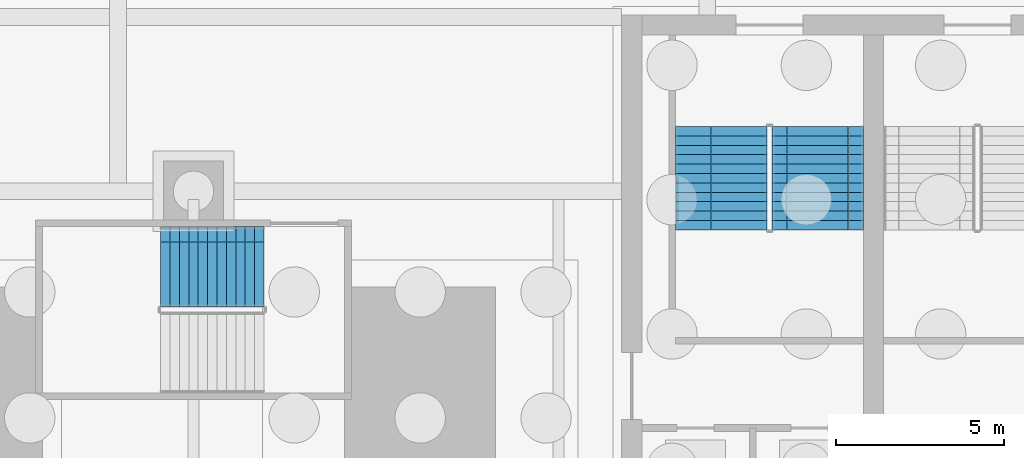
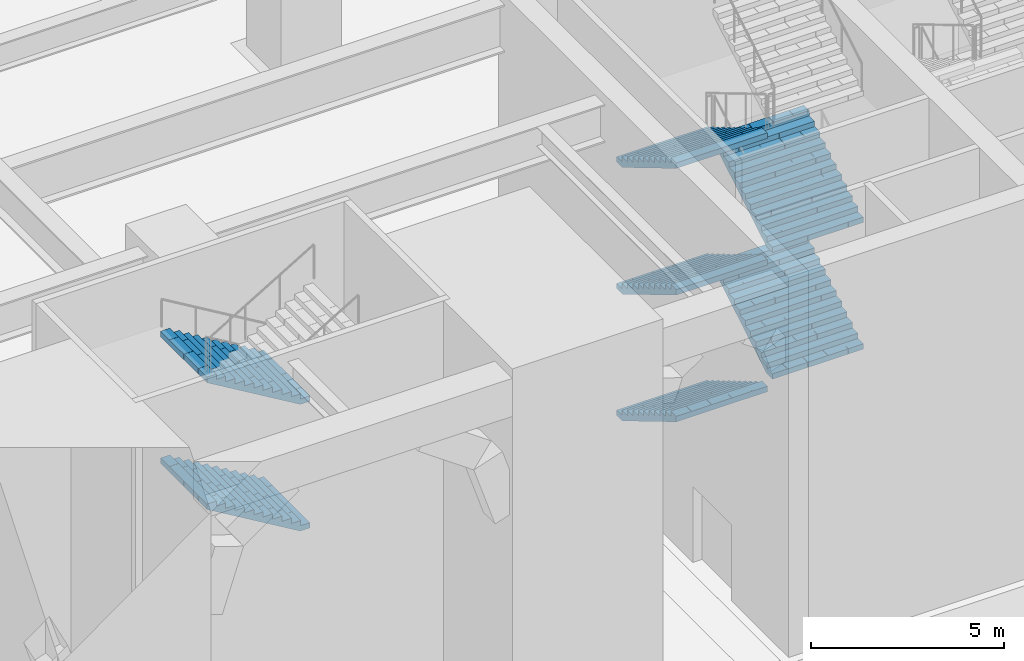
# One storey, part 17 of 34: 7 stair flights, 2 elements without a shape of their own.
"""IFC4 building model written with IfcOpenShell, lengths in metres."""

from ifc_helpers import new_model, si_unit, direction, frame, origin, place, context, subcontext, project, spatial, polyline, outline, extrude, material, type_object, element, aggregate, save


model = new_model("IFC4")

# Units and contexts
model_context = context("Model", 3, precision=1e-05, world=origin(), true_north=direction((0.0, 1.0)))
body_context = subcontext(model_context, "Body", "Model", "MODEL_VIEW")
ifc_project = project(units=[si_unit("LENGTHUNIT", "METRE"), si_unit("AREAUNIT", "SQUARE_METRE"), si_unit("VOLUMEUNIT", "CUBIC_METRE"), si_unit("PLANEANGLEUNIT", "RADIAN"), si_unit("MASSUNIT", "GRAM", prefix="KILO")], contexts=[model_context])

# Site, building, storey
site_placement = place(None, origin())
site = spatial("IfcSite", under=ifc_project, at=site_placement, CompositionType="ELEMENT")
building_placement = place(site_placement, origin())
building = spatial("IfcBuilding", under=site, at=building_placement, Name="Corbelhall Arena Tower", CompositionType="ELEMENT")
storey_placement = place(building_placement, origin())
storey = spatial("IfcBuildingStorey", under=building, at=storey_placement, Name="L00", CompositionType="ELEMENT", Elevation=0.0)

# Stair, stair flights
ifc_material = material(Name="Reinforced concrete C40/50", Category="concrete")
stair_type = type_object("IfcStairType", Name="AR-EXIT-STAIR", PredefinedType="HALF_TURN_STAIR", material=ifc_material)
stair_1_placement = place(storey_placement, origin())
stair_1 = element("IfcStair", 1, at=stair_1_placement, inside=storey, type_object=stair_type, Name="L00 exit stair AS16", PredefinedType="HALF_TURN_STAIR")
stair_flight_type = type_object("IfcStairFlightType", Name="AR-EXIT-FLIGHT", PredefinedType="STRAIGHT", material=ifc_material)
stair_flight_1_placement = place(storey_placement, frame((22.35009765625, -31.5, 4.0), z_axis=(0.0, 0.0, 1.0), x_axis=(-1.0, 0.0, 0.0)))
stair_flight_1 = element("IfcStairFlight", 2, at=stair_flight_1_placement, type_object=stair_flight_type, Name="AS16 flight 3", NumberOfRisers=12, NumberOfTreads=11, PredefinedType="STRAIGHT", RiserHeight=0.166666667, TreadLength=0.28, context=body_context, shape_type="SweptSolid", body=[
    extrude(outline(polyline([(0.0, 0.0), (0.0, 0.166748046875), (0.280029296875, 0.166748046875), (0.280029296875, 0.333251953125), (0.56005859375, 0.333251953125), (0.56005859375, 0.5), (0.840087890625, 0.5), (0.840087890625, 0.666748046875), (1.1201171875, 0.666748046875), (1.1201171875, 0.833251953125), (1.39990234375, 0.833251953125), (1.39990234375, 1.0), (1.679931640625, 1.0), (1.679931640625, 1.166748046875), (1.9599609375, 1.166748046875), (1.9599609375, 1.333251953125), (2.239990234375, 1.333251953125), (2.239990234375, 1.5), (2.52001953125, 1.5), (2.52001953125, 1.666748046875), (2.800048828125, 1.666748046875), (2.800048828125, 1.833251953125), (3.080078125, 1.833251953125), (3.080078125, 2.0), (3.080078125, 1.658935546875), (0.29296875, 0.0), (0.0, 0.0)])), frame((0.0, 1.199951171875, 0.0), z_axis=(0.0, -1.0, 0.0), x_axis=(1.0, 0.0, 0.0)), (0.0, 0.0, 1.0), 0.449951171875),
    extrude(outline(polyline([(0.0, 0.0), (0.0, 0.166748046875), (0.280029296875, 0.166748046875), (0.280029296875, 0.333251953125), (0.56005859375, 0.333251953125), (0.56005859375, 0.5), (0.840087890625, 0.5), (0.840087890625, 0.666748046875), (1.1201171875, 0.666748046875), (1.1201171875, 0.833251953125), (1.39990234375, 0.833251953125), (1.39990234375, 1.0), (1.679931640625, 1.0), (1.679931640625, 1.166748046875), (1.9599609375, 1.166748046875), (1.9599609375, 1.333251953125), (2.239990234375, 1.333251953125), (2.239990234375, 1.5), (2.52001953125, 1.5), (2.52001953125, 1.666748046875), (2.800048828125, 1.666748046875), (2.800048828125, 1.833251953125), (3.080078125, 1.833251953125), (3.080078125, 2.0), (3.080078125, 1.658935546875), (0.29296875, 0.0), (0.0, 0.0)])), frame((0.0, 0.745849609375, 0.0), z_axis=(0.0, -1.0, 0.0), x_axis=(1.0, 0.0, 0.0)), (0.0, 0.0, 1.0), 0.743896484375),
    extrude(outline(polyline([(0.0, 0.0), (0.0, 0.166748046875), (0.280029296875, 0.166748046875), (0.280029296875, 0.333251953125), (0.56005859375, 0.333251953125), (0.56005859375, 0.5), (0.840087890625, 0.5), (0.840087890625, 0.666748046875), (1.1201171875, 0.666748046875), (1.1201171875, 0.833251953125), (1.39990234375, 0.833251953125), (1.39990234375, 1.0), (1.679931640625, 1.0), (1.679931640625, 1.166748046875), (1.9599609375, 1.166748046875), (1.9599609375, 1.333251953125), (2.239990234375, 1.333251953125), (2.239990234375, 1.5), (2.52001953125, 1.5), (2.52001953125, 1.666748046875), (2.800048828125, 1.666748046875), (2.800048828125, 1.833251953125), (3.080078125, 1.833251953125), (3.080078125, 2.0), (3.080078125, 1.658935546875), (0.29296875, 0.0), (0.0, 0.0)])), frame((0.0, -0.001953125, 0.0), z_axis=(0.0, -1.0, 0.0), x_axis=(1.0, 0.0, 0.0)), (0.0, 0.0, 1.0), 0.743896484375),
    extrude(outline(polyline([(0.0, 0.0), (0.0, 0.166748046875), (0.280029296875, 0.166748046875), (0.280029296875, 0.333251953125), (0.56005859375, 0.333251953125), (0.56005859375, 0.5), (0.840087890625, 0.5), (0.840087890625, 0.666748046875), (1.1201171875, 0.666748046875), (1.1201171875, 0.833251953125), (1.39990234375, 0.833251953125), (1.39990234375, 1.0), (1.679931640625, 1.0), (1.679931640625, 1.166748046875), (1.9599609375, 1.166748046875), (1.9599609375, 1.333251953125), (2.239990234375, 1.333251953125), (2.239990234375, 1.5), (2.52001953125, 1.5), (2.52001953125, 1.666748046875), (2.800048828125, 1.666748046875), (2.800048828125, 1.833251953125), (3.080078125, 1.833251953125), (3.080078125, 2.0), (3.080078125, 1.658935546875), (0.29296875, 0.0), (0.0, 0.0)])), frame((0.0, -0.75, 0.0), z_axis=(0.0, -1.0, 0.0), x_axis=(1.0, 0.0, 0.0)), (0.0, 0.0, 1.0), 0.449951171875),
])
stair_flight_2_placement = place(storey_placement, frame((22.35009765625, -31.5, 8.0), z_axis=(0.0, 0.0, 1.0), x_axis=(-1.0, 0.0, 0.0)))
stair_flight_2 = element("IfcStairFlight", 3, at=stair_flight_2_placement, type_object=stair_flight_type, Name="AS16 flight 5", NumberOfRisers=12, NumberOfTreads=11, PredefinedType="STRAIGHT", RiserHeight=0.166666667, TreadLength=0.28, context=body_context, shape_type="SweptSolid", body=[
    extrude(outline(polyline([(0.0, 0.0), (0.0, 0.166748046875), (0.280029296875, 0.166748046875), (0.280029296875, 0.333251953125), (0.56005859375, 0.333251953125), (0.56005859375, 0.5), (0.840087890625, 0.5), (0.840087890625, 0.666748046875), (1.1201171875, 0.666748046875), (1.1201171875, 0.833251953125), (1.39990234375, 0.833251953125), (1.39990234375, 1.0), (1.679931640625, 1.0), (1.679931640625, 1.166748046875), (1.9599609375, 1.166748046875), (1.9599609375, 1.333251953125), (2.239990234375, 1.333251953125), (2.239990234375, 1.5), (2.52001953125, 1.5), (2.52001953125, 1.666748046875), (2.800048828125, 1.666748046875), (2.800048828125, 1.833251953125), (3.080078125, 1.833251953125), (3.080078125, 2.0), (3.080078125, 1.658935546875), (0.29296875, 0.0), (0.0, 0.0)])), frame((0.0, 1.199951171875, 0.0), z_axis=(0.0, -1.0, 0.0), x_axis=(1.0, 0.0, 0.0)), (0.0, 0.0, 1.0), 0.449951171875),
    extrude(outline(polyline([(0.0, 0.0), (0.0, 0.166748046875), (0.280029296875, 0.166748046875), (0.280029296875, 0.333251953125), (0.56005859375, 0.333251953125), (0.56005859375, 0.5), (0.840087890625, 0.5), (0.840087890625, 0.666748046875), (1.1201171875, 0.666748046875), (1.1201171875, 0.833251953125), (1.39990234375, 0.833251953125), (1.39990234375, 1.0), (1.679931640625, 1.0), (1.679931640625, 1.166748046875), (1.9599609375, 1.166748046875), (1.9599609375, 1.333251953125), (2.239990234375, 1.333251953125), (2.239990234375, 1.5), (2.52001953125, 1.5), (2.52001953125, 1.666748046875), (2.800048828125, 1.666748046875), (2.800048828125, 1.833251953125), (3.080078125, 1.833251953125), (3.080078125, 2.0), (3.080078125, 1.658935546875), (0.29296875, 0.0), (0.0, 0.0)])), frame((0.0, 0.745849609375, 0.0), z_axis=(0.0, -1.0, 0.0), x_axis=(1.0, 0.0, 0.0)), (0.0, 0.0, 1.0), 0.743896484375),
    extrude(outline(polyline([(0.0, 0.0), (0.0, 0.166748046875), (0.280029296875, 0.166748046875), (0.280029296875, 0.333251953125), (0.56005859375, 0.333251953125), (0.56005859375, 0.5), (0.840087890625, 0.5), (0.840087890625, 0.666748046875), (1.1201171875, 0.666748046875), (1.1201171875, 0.833251953125), (1.39990234375, 0.833251953125), (1.39990234375, 1.0), (1.679931640625, 1.0), (1.679931640625, 1.166748046875), (1.9599609375, 1.166748046875), (1.9599609375, 1.333251953125), (2.239990234375, 1.333251953125), (2.239990234375, 1.5), (2.52001953125, 1.5), (2.52001953125, 1.666748046875), (2.800048828125, 1.666748046875), (2.800048828125, 1.833251953125), (3.080078125, 1.833251953125), (3.080078125, 2.0), (3.080078125, 1.658935546875), (0.29296875, 0.0), (0.0, 0.0)])), frame((0.0, -0.001953125, 0.0), z_axis=(0.0, -1.0, 0.0), x_axis=(1.0, 0.0, 0.0)), (0.0, 0.0, 1.0), 0.743896484375),
    extrude(outline(polyline([(0.0, 0.0), (0.0, 0.166748046875), (0.280029296875, 0.166748046875), (0.280029296875, 0.333251953125), (0.56005859375, 0.333251953125), (0.56005859375, 0.5), (0.840087890625, 0.5), (0.840087890625, 0.666748046875), (1.1201171875, 0.666748046875), (1.1201171875, 0.833251953125), (1.39990234375, 0.833251953125), (1.39990234375, 1.0), (1.679931640625, 1.0), (1.679931640625, 1.166748046875), (1.9599609375, 1.166748046875), (1.9599609375, 1.333251953125), (2.239990234375, 1.333251953125), (2.239990234375, 1.5), (2.52001953125, 1.5), (2.52001953125, 1.666748046875), (2.800048828125, 1.666748046875), (2.800048828125, 1.833251953125), (3.080078125, 1.833251953125), (3.080078125, 2.0), (3.080078125, 1.658935546875), (0.29296875, 0.0), (0.0, 0.0)])), frame((0.0, -0.75, 0.0), z_axis=(0.0, -1.0, 0.0), x_axis=(1.0, 0.0, 0.0)), (0.0, 0.0, 1.0), 0.449951171875),
])
aggregate(stair_1, [stair_flight_1, stair_flight_2])

stair_2_placement = place(storey_placement, origin())
stair_2 = element("IfcStair", 4, at=stair_2_placement, inside=storey, type_object=stair_type, Name="L00 exit stair AS5", PredefinedType="HALF_TURN_STAIR")
stair_flight_3_placement = place(storey_placement, frame((35.969970703125, -27.320068359375, 0.0), z_axis=(0.0, 0.0, 1.0), x_axis=(0.0, -1.0, 0.0)))
stair_flight_3 = element("IfcStairFlight", 5, at=stair_flight_3_placement, type_object=stair_flight_type, Name="AS5 flight 1", NumberOfRisers=12, NumberOfTreads=11, PredefinedType="STRAIGHT", RiserHeight=0.166666667, TreadLength=0.28, context=body_context, shape_type="SweptSolid", body=[
    extrude(outline(polyline([(0.0, 0.0), (0.0, 0.166748046875), (0.280029296875, 0.166748046875), (0.280029296875, 0.333251953125), (0.56005859375, 0.333251953125), (0.56005859375, 0.5), (0.840087890625, 0.5), (0.840087890625, 0.666748046875), (1.1201171875, 0.666748046875), (1.1201171875, 0.833251953125), (1.39990234375, 0.833251953125), (1.39990234375, 1.0), (1.679931640625, 1.0), (1.679931640625, 1.166748046875), (1.9599609375, 1.166748046875), (1.9599609375, 1.333251953125), (2.239990234375, 1.333251953125), (2.239990234375, 1.5), (2.52001953125, 1.5), (2.52001953125, 1.666748046875), (2.800048828125, 1.666748046875), (2.800048828125, 1.833251953125), (3.080078125, 1.833251953125), (3.080078125, 2.0), (3.080078125, 1.658935546875), (0.29296875, 0.0), (0.0, 0.0)])), frame((0.0, 1.35986328125, 0.0), z_axis=(0.0, -1.0, 0.0), x_axis=(1.0, 0.0, 0.0)), (0.0, 0.0, 1.0), 0.449951171875),
    extrude(outline(polyline([(0.0, 0.0), (0.0, 0.166748046875), (0.280029296875, 0.166748046875), (0.280029296875, 0.333251953125), (0.56005859375, 0.333251953125), (0.56005859375, 0.5), (0.840087890625, 0.5), (0.840087890625, 0.666748046875), (1.1201171875, 0.666748046875), (1.1201171875, 0.833251953125), (1.39990234375, 0.833251953125), (1.39990234375, 1.0), (1.679931640625, 1.0), (1.679931640625, 1.166748046875), (1.9599609375, 1.166748046875), (1.9599609375, 1.333251953125), (2.239990234375, 1.333251953125), (2.239990234375, 1.5), (2.52001953125, 1.5), (2.52001953125, 1.666748046875), (2.800048828125, 1.666748046875), (2.800048828125, 1.833251953125), (3.080078125, 1.833251953125), (3.080078125, 2.0), (3.080078125, 1.658935546875), (0.29296875, 0.0), (0.0, 0.0)])), frame((0.0, 0.906005859375, 0.0), z_axis=(0.0, -1.0, 0.0), x_axis=(1.0, 0.0, 0.0)), (0.0, 0.0, 1.0), 0.601318359375),
    extrude(outline(polyline([(0.0, 0.0), (0.0, 0.166748046875), (0.280029296875, 0.166748046875), (0.280029296875, 0.333251953125), (0.56005859375, 0.333251953125), (0.56005859375, 0.5), (0.840087890625, 0.5), (0.840087890625, 0.666748046875), (1.1201171875, 0.666748046875), (1.1201171875, 0.833251953125), (1.39990234375, 0.833251953125), (1.39990234375, 1.0), (1.679931640625, 1.0), (1.679931640625, 1.166748046875), (1.9599609375, 1.166748046875), (1.9599609375, 1.333251953125), (2.239990234375, 1.333251953125), (2.239990234375, 1.5), (2.52001953125, 1.5), (2.52001953125, 1.666748046875), (2.800048828125, 1.666748046875), (2.800048828125, 1.833251953125), (3.080078125, 1.833251953125), (3.080078125, 2.0), (3.080078125, 1.658935546875), (0.29296875, 0.0), (0.0, 0.0)])), frame((0.0, 0.30078125, 0.0), z_axis=(0.0, -1.0, 0.0), x_axis=(1.0, 0.0, 0.0)), (0.0, 0.0, 1.0), 0.601318359375),
    extrude(outline(polyline([(0.0, 0.0), (0.0, 0.166748046875), (0.280029296875, 0.166748046875), (0.280029296875, 0.333251953125), (0.56005859375, 0.333251953125), (0.56005859375, 0.5), (0.840087890625, 0.5), (0.840087890625, 0.666748046875), (1.1201171875, 0.666748046875), (1.1201171875, 0.833251953125), (1.39990234375, 0.833251953125), (1.39990234375, 1.0), (1.679931640625, 1.0), (1.679931640625, 1.166748046875), (1.9599609375, 1.166748046875), (1.9599609375, 1.333251953125), (2.239990234375, 1.333251953125), (2.239990234375, 1.5), (2.52001953125, 1.5), (2.52001953125, 1.666748046875), (2.800048828125, 1.666748046875), (2.800048828125, 1.833251953125), (3.080078125, 1.833251953125), (3.080078125, 2.0), (3.080078125, 1.658935546875), (0.29296875, 0.0), (0.0, 0.0)])), frame((0.0, -0.3046875, 0.0), z_axis=(0.0, -1.0, 0.0), x_axis=(1.0, 0.0, 0.0)), (0.0, 0.0, 1.0), 0.601318359375),
    extrude(outline(polyline([(0.0, 0.0), (0.0, 0.166748046875), (0.280029296875, 0.166748046875), (0.280029296875, 0.333251953125), (0.56005859375, 0.333251953125), (0.56005859375, 0.5), (0.840087890625, 0.5), (0.840087890625, 0.666748046875), (1.1201171875, 0.666748046875), (1.1201171875, 0.833251953125), (1.39990234375, 0.833251953125), (1.39990234375, 1.0), (1.679931640625, 1.0), (1.679931640625, 1.166748046875), (1.9599609375, 1.166748046875), (1.9599609375, 1.333251953125), (2.239990234375, 1.333251953125), (2.239990234375, 1.5), (2.52001953125, 1.5), (2.52001953125, 1.666748046875), (2.800048828125, 1.666748046875), (2.800048828125, 1.833251953125), (3.080078125, 1.833251953125), (3.080078125, 2.0), (3.080078125, 1.658935546875), (0.29296875, 0.0), (0.0, 0.0)])), frame((0.0, -0.909912109375, 0.0), z_axis=(0.0, -1.0, 0.0), x_axis=(1.0, 0.0, 0.0)), (0.0, 0.0, 1.0), 0.449951171875),
])
stair_flight_4_placement = place(storey_placement, frame((38.840087890625, -30.39990234375, 2.0), z_axis=(0.0, 0.0, 1.0), x_axis=(0.0, 1.0, 0.0)))
stair_flight_4 = element("IfcStairFlight", 6, at=stair_flight_4_placement, type_object=stair_flight_type, Name="AS5 flight 2", NumberOfRisers=12, NumberOfTreads=11, PredefinedType="STRAIGHT", RiserHeight=0.166666667, TreadLength=0.28, context=body_context, shape_type="SweptSolid", body=[
    extrude(outline(polyline([(0.0, 0.0), (0.0, 0.166748046875), (0.280029296875, 0.166748046875), (0.280029296875, 0.333251953125), (0.56005859375, 0.333251953125), (0.56005859375, 0.5), (0.840087890625, 0.5), (0.840087890625, 0.666748046875), (1.1201171875, 0.666748046875), (1.1201171875, 0.833251953125), (1.39990234375, 0.833251953125), (1.39990234375, 1.0), (1.679931640625, 1.0), (1.679931640625, 1.166748046875), (1.9599609375, 1.166748046875), (1.9599609375, 1.333251953125), (2.239990234375, 1.333251953125), (2.239990234375, 1.5), (2.52001953125, 1.5), (2.52001953125, 1.666748046875), (2.800048828125, 1.666748046875), (2.800048828125, 1.833251953125), (3.080078125, 1.833251953125), (3.080078125, 2.0), (3.080078125, 1.658935546875), (0.29296875, 0.0), (0.0, 0.0)])), frame((0.0, 1.35986328125, 0.0), z_axis=(0.0, -1.0, 0.0), x_axis=(1.0, 0.0, 0.0)), (0.0, 0.0, 1.0), 0.449951171875),
    extrude(outline(polyline([(0.0, 0.0), (0.0, 0.166748046875), (0.280029296875, 0.166748046875), (0.280029296875, 0.333251953125), (0.56005859375, 0.333251953125), (0.56005859375, 0.5), (0.840087890625, 0.5), (0.840087890625, 0.666748046875), (1.1201171875, 0.666748046875), (1.1201171875, 0.833251953125), (1.39990234375, 0.833251953125), (1.39990234375, 1.0), (1.679931640625, 1.0), (1.679931640625, 1.166748046875), (1.9599609375, 1.166748046875), (1.9599609375, 1.333251953125), (2.239990234375, 1.333251953125), (2.239990234375, 1.5), (2.52001953125, 1.5), (2.52001953125, 1.666748046875), (2.800048828125, 1.666748046875), (2.800048828125, 1.833251953125), (3.080078125, 1.833251953125), (3.080078125, 2.0), (3.080078125, 1.658935546875), (0.29296875, 0.0), (0.0, 0.0)])), frame((0.0, 0.906005859375, 0.0), z_axis=(0.0, -1.0, 0.0), x_axis=(1.0, 0.0, 0.0)), (0.0, 0.0, 1.0), 0.601318359375),
    extrude(outline(polyline([(0.0, 0.0), (0.0, 0.166748046875), (0.280029296875, 0.166748046875), (0.280029296875, 0.333251953125), (0.56005859375, 0.333251953125), (0.56005859375, 0.5), (0.840087890625, 0.5), (0.840087890625, 0.666748046875), (1.1201171875, 0.666748046875), (1.1201171875, 0.833251953125), (1.39990234375, 0.833251953125), (1.39990234375, 1.0), (1.679931640625, 1.0), (1.679931640625, 1.166748046875), (1.9599609375, 1.166748046875), (1.9599609375, 1.333251953125), (2.239990234375, 1.333251953125), (2.239990234375, 1.5), (2.52001953125, 1.5), (2.52001953125, 1.666748046875), (2.800048828125, 1.666748046875), (2.800048828125, 1.833251953125), (3.080078125, 1.833251953125), (3.080078125, 2.0), (3.080078125, 1.658935546875), (0.29296875, 0.0), (0.0, 0.0)])), frame((0.0, 0.30078125, 0.0), z_axis=(0.0, -1.0, 0.0), x_axis=(1.0, 0.0, 0.0)), (0.0, 0.0, 1.0), 0.601318359375),
    extrude(outline(polyline([(0.0, 0.0), (0.0, 0.166748046875), (0.280029296875, 0.166748046875), (0.280029296875, 0.333251953125), (0.56005859375, 0.333251953125), (0.56005859375, 0.5), (0.840087890625, 0.5), (0.840087890625, 0.666748046875), (1.1201171875, 0.666748046875), (1.1201171875, 0.833251953125), (1.39990234375, 0.833251953125), (1.39990234375, 1.0), (1.679931640625, 1.0), (1.679931640625, 1.166748046875), (1.9599609375, 1.166748046875), (1.9599609375, 1.333251953125), (2.239990234375, 1.333251953125), (2.239990234375, 1.5), (2.52001953125, 1.5), (2.52001953125, 1.666748046875), (2.800048828125, 1.666748046875), (2.800048828125, 1.833251953125), (3.080078125, 1.833251953125), (3.080078125, 2.0), (3.080078125, 1.658935546875), (0.29296875, 0.0), (0.0, 0.0)])), frame((0.0, -0.3046875, 0.0), z_axis=(0.0, -1.0, 0.0), x_axis=(1.0, 0.0, 0.0)), (0.0, 0.0, 1.0), 0.601318359375),
    extrude(outline(polyline([(0.0, 0.0), (0.0, 0.166748046875), (0.280029296875, 0.166748046875), (0.280029296875, 0.333251953125), (0.56005859375, 0.333251953125), (0.56005859375, 0.5), (0.840087890625, 0.5), (0.840087890625, 0.666748046875), (1.1201171875, 0.666748046875), (1.1201171875, 0.833251953125), (1.39990234375, 0.833251953125), (1.39990234375, 1.0), (1.679931640625, 1.0), (1.679931640625, 1.166748046875), (1.9599609375, 1.166748046875), (1.9599609375, 1.333251953125), (2.239990234375, 1.333251953125), (2.239990234375, 1.5), (2.52001953125, 1.5), (2.52001953125, 1.666748046875), (2.800048828125, 1.666748046875), (2.800048828125, 1.833251953125), (3.080078125, 1.833251953125), (3.080078125, 2.0), (3.080078125, 1.658935546875), (0.29296875, 0.0), (0.0, 0.0)])), frame((0.0, -0.909912109375, 0.0), z_axis=(0.0, -1.0, 0.0), x_axis=(1.0, 0.0, 0.0)), (0.0, 0.0, 1.0), 0.449951171875),
])
stair_flight_5_placement = place(storey_placement, frame((35.969970703125, -27.320068359375, 4.0), z_axis=(0.0, 0.0, 1.0), x_axis=(0.0, -1.0, 0.0)))
stair_flight_5 = element("IfcStairFlight", 7, at=stair_flight_5_placement, type_object=stair_flight_type, Name="AS5 flight 3", NumberOfRisers=12, NumberOfTreads=11, PredefinedType="STRAIGHT", RiserHeight=0.166666667, TreadLength=0.28, context=body_context, shape_type="SweptSolid", body=[
    extrude(outline(polyline([(0.0, 0.0), (0.0, 0.166748046875), (0.280029296875, 0.166748046875), (0.280029296875, 0.333251953125), (0.56005859375, 0.333251953125), (0.56005859375, 0.5), (0.840087890625, 0.5), (0.840087890625, 0.666748046875), (1.1201171875, 0.666748046875), (1.1201171875, 0.833251953125), (1.39990234375, 0.833251953125), (1.39990234375, 1.0), (1.679931640625, 1.0), (1.679931640625, 1.166748046875), (1.9599609375, 1.166748046875), (1.9599609375, 1.333251953125), (2.239990234375, 1.333251953125), (2.239990234375, 1.5), (2.52001953125, 1.5), (2.52001953125, 1.666748046875), (2.800048828125, 1.666748046875), (2.800048828125, 1.833251953125), (3.080078125, 1.833251953125), (3.080078125, 2.0), (3.080078125, 1.658935546875), (0.29296875, 0.0), (0.0, 0.0)])), frame((0.0, 1.35986328125, 0.0), z_axis=(0.0, -1.0, 0.0), x_axis=(1.0, 0.0, 0.0)), (0.0, 0.0, 1.0), 0.449951171875),
    extrude(outline(polyline([(0.0, 0.0), (0.0, 0.166748046875), (0.280029296875, 0.166748046875), (0.280029296875, 0.333251953125), (0.56005859375, 0.333251953125), (0.56005859375, 0.5), (0.840087890625, 0.5), (0.840087890625, 0.666748046875), (1.1201171875, 0.666748046875), (1.1201171875, 0.833251953125), (1.39990234375, 0.833251953125), (1.39990234375, 1.0), (1.679931640625, 1.0), (1.679931640625, 1.166748046875), (1.9599609375, 1.166748046875), (1.9599609375, 1.333251953125), (2.239990234375, 1.333251953125), (2.239990234375, 1.5), (2.52001953125, 1.5), (2.52001953125, 1.666748046875), (2.800048828125, 1.666748046875), (2.800048828125, 1.833251953125), (3.080078125, 1.833251953125), (3.080078125, 2.0), (3.080078125, 1.658935546875), (0.29296875, 0.0), (0.0, 0.0)])), frame((0.0, 0.906005859375, 0.0), z_axis=(0.0, -1.0, 0.0), x_axis=(1.0, 0.0, 0.0)), (0.0, 0.0, 1.0), 0.601318359375),
    extrude(outline(polyline([(0.0, 0.0), (0.0, 0.166748046875), (0.280029296875, 0.166748046875), (0.280029296875, 0.333251953125), (0.56005859375, 0.333251953125), (0.56005859375, 0.5), (0.840087890625, 0.5), (0.840087890625, 0.666748046875), (1.1201171875, 0.666748046875), (1.1201171875, 0.833251953125), (1.39990234375, 0.833251953125), (1.39990234375, 1.0), (1.679931640625, 1.0), (1.679931640625, 1.166748046875), (1.9599609375, 1.166748046875), (1.9599609375, 1.333251953125), (2.239990234375, 1.333251953125), (2.239990234375, 1.5), (2.52001953125, 1.5), (2.52001953125, 1.666748046875), (2.800048828125, 1.666748046875), (2.800048828125, 1.833251953125), (3.080078125, 1.833251953125), (3.080078125, 2.0), (3.080078125, 1.658935546875), (0.29296875, 0.0), (0.0, 0.0)])), frame((0.0, 0.30078125, 0.0), z_axis=(0.0, -1.0, 0.0), x_axis=(1.0, 0.0, 0.0)), (0.0, 0.0, 1.0), 0.601318359375),
    extrude(outline(polyline([(0.0, 0.0), (0.0, 0.166748046875), (0.280029296875, 0.166748046875), (0.280029296875, 0.333251953125), (0.56005859375, 0.333251953125), (0.56005859375, 0.5), (0.840087890625, 0.5), (0.840087890625, 0.666748046875), (1.1201171875, 0.666748046875), (1.1201171875, 0.833251953125), (1.39990234375, 0.833251953125), (1.39990234375, 1.0), (1.679931640625, 1.0), (1.679931640625, 1.166748046875), (1.9599609375, 1.166748046875), (1.9599609375, 1.333251953125), (2.239990234375, 1.333251953125), (2.239990234375, 1.5), (2.52001953125, 1.5), (2.52001953125, 1.666748046875), (2.800048828125, 1.666748046875), (2.800048828125, 1.833251953125), (3.080078125, 1.833251953125), (3.080078125, 2.0), (3.080078125, 1.658935546875), (0.29296875, 0.0), (0.0, 0.0)])), frame((0.0, -0.3046875, 0.0), z_axis=(0.0, -1.0, 0.0), x_axis=(1.0, 0.0, 0.0)), (0.0, 0.0, 1.0), 0.601318359375),
    extrude(outline(polyline([(0.0, 0.0), (0.0, 0.166748046875), (0.280029296875, 0.166748046875), (0.280029296875, 0.333251953125), (0.56005859375, 0.333251953125), (0.56005859375, 0.5), (0.840087890625, 0.5), (0.840087890625, 0.666748046875), (1.1201171875, 0.666748046875), (1.1201171875, 0.833251953125), (1.39990234375, 0.833251953125), (1.39990234375, 1.0), (1.679931640625, 1.0), (1.679931640625, 1.166748046875), (1.9599609375, 1.166748046875), (1.9599609375, 1.333251953125), (2.239990234375, 1.333251953125), (2.239990234375, 1.5), (2.52001953125, 1.5), (2.52001953125, 1.666748046875), (2.800048828125, 1.666748046875), (2.800048828125, 1.833251953125), (3.080078125, 1.833251953125), (3.080078125, 2.0), (3.080078125, 1.658935546875), (0.29296875, 0.0), (0.0, 0.0)])), frame((0.0, -0.909912109375, 0.0), z_axis=(0.0, -1.0, 0.0), x_axis=(1.0, 0.0, 0.0)), (0.0, 0.0, 1.0), 0.449951171875),
])
stair_flight_6_placement = place(storey_placement, frame((38.840087890625, -30.39990234375, 6.0), z_axis=(0.0, 0.0, 1.0), x_axis=(0.0, 1.0, 0.0)))
stair_flight_6 = element("IfcStairFlight", 8, at=stair_flight_6_placement, type_object=stair_flight_type, Name="AS5 flight 4", NumberOfRisers=12, NumberOfTreads=11, PredefinedType="STRAIGHT", RiserHeight=0.166666667, TreadLength=0.28, context=body_context, shape_type="SweptSolid", body=[
    extrude(outline(polyline([(0.0, 0.0), (0.0, 0.166748046875), (0.280029296875, 0.166748046875), (0.280029296875, 0.333251953125), (0.56005859375, 0.333251953125), (0.56005859375, 0.5), (0.840087890625, 0.5), (0.840087890625, 0.666748046875), (1.1201171875, 0.666748046875), (1.1201171875, 0.833251953125), (1.39990234375, 0.833251953125), (1.39990234375, 1.0), (1.679931640625, 1.0), (1.679931640625, 1.166748046875), (1.9599609375, 1.166748046875), (1.9599609375, 1.333251953125), (2.239990234375, 1.333251953125), (2.239990234375, 1.5), (2.52001953125, 1.5), (2.52001953125, 1.666748046875), (2.800048828125, 1.666748046875), (2.800048828125, 1.833251953125), (3.080078125, 1.833251953125), (3.080078125, 2.0), (3.080078125, 1.658935546875), (0.29296875, 0.0), (0.0, 0.0)])), frame((0.0, 1.35986328125, 0.0), z_axis=(0.0, -1.0, 0.0), x_axis=(1.0, 0.0, 0.0)), (0.0, 0.0, 1.0), 0.449951171875),
    extrude(outline(polyline([(0.0, 0.0), (0.0, 0.166748046875), (0.280029296875, 0.166748046875), (0.280029296875, 0.333251953125), (0.56005859375, 0.333251953125), (0.56005859375, 0.5), (0.840087890625, 0.5), (0.840087890625, 0.666748046875), (1.1201171875, 0.666748046875), (1.1201171875, 0.833251953125), (1.39990234375, 0.833251953125), (1.39990234375, 1.0), (1.679931640625, 1.0), (1.679931640625, 1.166748046875), (1.9599609375, 1.166748046875), (1.9599609375, 1.333251953125), (2.239990234375, 1.333251953125), (2.239990234375, 1.5), (2.52001953125, 1.5), (2.52001953125, 1.666748046875), (2.800048828125, 1.666748046875), (2.800048828125, 1.833251953125), (3.080078125, 1.833251953125), (3.080078125, 2.0), (3.080078125, 1.658935546875), (0.29296875, 0.0), (0.0, 0.0)])), frame((0.0, 0.906005859375, 0.0), z_axis=(0.0, -1.0, 0.0), x_axis=(1.0, 0.0, 0.0)), (0.0, 0.0, 1.0), 0.601318359375),
    extrude(outline(polyline([(0.0, 0.0), (0.0, 0.166748046875), (0.280029296875, 0.166748046875), (0.280029296875, 0.333251953125), (0.56005859375, 0.333251953125), (0.56005859375, 0.5), (0.840087890625, 0.5), (0.840087890625, 0.666748046875), (1.1201171875, 0.666748046875), (1.1201171875, 0.833251953125), (1.39990234375, 0.833251953125), (1.39990234375, 1.0), (1.679931640625, 1.0), (1.679931640625, 1.166748046875), (1.9599609375, 1.166748046875), (1.9599609375, 1.333251953125), (2.239990234375, 1.333251953125), (2.239990234375, 1.5), (2.52001953125, 1.5), (2.52001953125, 1.666748046875), (2.800048828125, 1.666748046875), (2.800048828125, 1.833251953125), (3.080078125, 1.833251953125), (3.080078125, 2.0), (3.080078125, 1.658935546875), (0.29296875, 0.0), (0.0, 0.0)])), frame((0.0, 0.30078125, 0.0), z_axis=(0.0, -1.0, 0.0), x_axis=(1.0, 0.0, 0.0)), (0.0, 0.0, 1.0), 0.601318359375),
    extrude(outline(polyline([(0.0, 0.0), (0.0, 0.166748046875), (0.280029296875, 0.166748046875), (0.280029296875, 0.333251953125), (0.56005859375, 0.333251953125), (0.56005859375, 0.5), (0.840087890625, 0.5), (0.840087890625, 0.666748046875), (1.1201171875, 0.666748046875), (1.1201171875, 0.833251953125), (1.39990234375, 0.833251953125), (1.39990234375, 1.0), (1.679931640625, 1.0), (1.679931640625, 1.166748046875), (1.9599609375, 1.166748046875), (1.9599609375, 1.333251953125), (2.239990234375, 1.333251953125), (2.239990234375, 1.5), (2.52001953125, 1.5), (2.52001953125, 1.666748046875), (2.800048828125, 1.666748046875), (2.800048828125, 1.833251953125), (3.080078125, 1.833251953125), (3.080078125, 2.0), (3.080078125, 1.658935546875), (0.29296875, 0.0), (0.0, 0.0)])), frame((0.0, -0.3046875, 0.0), z_axis=(0.0, -1.0, 0.0), x_axis=(1.0, 0.0, 0.0)), (0.0, 0.0, 1.0), 0.601318359375),
    extrude(outline(polyline([(0.0, 0.0), (0.0, 0.166748046875), (0.280029296875, 0.166748046875), (0.280029296875, 0.333251953125), (0.56005859375, 0.333251953125), (0.56005859375, 0.5), (0.840087890625, 0.5), (0.840087890625, 0.666748046875), (1.1201171875, 0.666748046875), (1.1201171875, 0.833251953125), (1.39990234375, 0.833251953125), (1.39990234375, 1.0), (1.679931640625, 1.0), (1.679931640625, 1.166748046875), (1.9599609375, 1.166748046875), (1.9599609375, 1.333251953125), (2.239990234375, 1.333251953125), (2.239990234375, 1.5), (2.52001953125, 1.5), (2.52001953125, 1.666748046875), (2.800048828125, 1.666748046875), (2.800048828125, 1.833251953125), (3.080078125, 1.833251953125), (3.080078125, 2.0), (3.080078125, 1.658935546875), (0.29296875, 0.0), (0.0, 0.0)])), frame((0.0, -0.909912109375, 0.0), z_axis=(0.0, -1.0, 0.0), x_axis=(1.0, 0.0, 0.0)), (0.0, 0.0, 1.0), 0.449951171875),
])
stair_flight_7_placement = place(storey_placement, frame((35.969970703125, -27.320068359375, 8.0), z_axis=(0.0, 0.0, 1.0), x_axis=(0.0, -1.0, 0.0)))
stair_flight_7 = element("IfcStairFlight", 9, at=stair_flight_7_placement, type_object=stair_flight_type, Name="AS5 flight 5", NumberOfRisers=12, NumberOfTreads=11, PredefinedType="STRAIGHT", RiserHeight=0.166666667, TreadLength=0.28, context=body_context, shape_type="SweptSolid", body=[
    extrude(outline(polyline([(0.0, 0.0), (0.0, 0.166748046875), (0.280029296875, 0.166748046875), (0.280029296875, 0.333251953125), (0.56005859375, 0.333251953125), (0.56005859375, 0.5), (0.840087890625, 0.5), (0.840087890625, 0.666748046875), (1.1201171875, 0.666748046875), (1.1201171875, 0.833251953125), (1.39990234375, 0.833251953125), (1.39990234375, 1.0), (1.679931640625, 1.0), (1.679931640625, 1.166748046875), (1.9599609375, 1.166748046875), (1.9599609375, 1.333251953125), (2.239990234375, 1.333251953125), (2.239990234375, 1.5), (2.52001953125, 1.5), (2.52001953125, 1.666748046875), (2.800048828125, 1.666748046875), (2.800048828125, 1.833251953125), (3.080078125, 1.833251953125), (3.080078125, 2.0), (3.080078125, 1.658935546875), (0.29296875, 0.0), (0.0, 0.0)])), frame((0.0, 1.35986328125, 0.0), z_axis=(0.0, -1.0, 0.0), x_axis=(1.0, 0.0, 0.0)), (0.0, 0.0, 1.0), 0.449951171875),
    extrude(outline(polyline([(0.0, 0.0), (0.0, 0.166748046875), (0.280029296875, 0.166748046875), (0.280029296875, 0.333251953125), (0.56005859375, 0.333251953125), (0.56005859375, 0.5), (0.840087890625, 0.5), (0.840087890625, 0.666748046875), (1.1201171875, 0.666748046875), (1.1201171875, 0.833251953125), (1.39990234375, 0.833251953125), (1.39990234375, 1.0), (1.679931640625, 1.0), (1.679931640625, 1.166748046875), (1.9599609375, 1.166748046875), (1.9599609375, 1.333251953125), (2.239990234375, 1.333251953125), (2.239990234375, 1.5), (2.52001953125, 1.5), (2.52001953125, 1.666748046875), (2.800048828125, 1.666748046875), (2.800048828125, 1.833251953125), (3.080078125, 1.833251953125), (3.080078125, 2.0), (3.080078125, 1.658935546875), (0.29296875, 0.0), (0.0, 0.0)])), frame((0.0, 0.906005859375, 0.0), z_axis=(0.0, -1.0, 0.0), x_axis=(1.0, 0.0, 0.0)), (0.0, 0.0, 1.0), 0.601318359375),
    extrude(outline(polyline([(0.0, 0.0), (0.0, 0.166748046875), (0.280029296875, 0.166748046875), (0.280029296875, 0.333251953125), (0.56005859375, 0.333251953125), (0.56005859375, 0.5), (0.840087890625, 0.5), (0.840087890625, 0.666748046875), (1.1201171875, 0.666748046875), (1.1201171875, 0.833251953125), (1.39990234375, 0.833251953125), (1.39990234375, 1.0), (1.679931640625, 1.0), (1.679931640625, 1.166748046875), (1.9599609375, 1.166748046875), (1.9599609375, 1.333251953125), (2.239990234375, 1.333251953125), (2.239990234375, 1.5), (2.52001953125, 1.5), (2.52001953125, 1.666748046875), (2.800048828125, 1.666748046875), (2.800048828125, 1.833251953125), (3.080078125, 1.833251953125), (3.080078125, 2.0), (3.080078125, 1.658935546875), (0.29296875, 0.0), (0.0, 0.0)])), frame((0.0, 0.30078125, 0.0), z_axis=(0.0, -1.0, 0.0), x_axis=(1.0, 0.0, 0.0)), (0.0, 0.0, 1.0), 0.601318359375),
    extrude(outline(polyline([(0.0, 0.0), (0.0, 0.166748046875), (0.280029296875, 0.166748046875), (0.280029296875, 0.333251953125), (0.56005859375, 0.333251953125), (0.56005859375, 0.5), (0.840087890625, 0.5), (0.840087890625, 0.666748046875), (1.1201171875, 0.666748046875), (1.1201171875, 0.833251953125), (1.39990234375, 0.833251953125), (1.39990234375, 1.0), (1.679931640625, 1.0), (1.679931640625, 1.166748046875), (1.9599609375, 1.166748046875), (1.9599609375, 1.333251953125), (2.239990234375, 1.333251953125), (2.239990234375, 1.5), (2.52001953125, 1.5), (2.52001953125, 1.666748046875), (2.800048828125, 1.666748046875), (2.800048828125, 1.833251953125), (3.080078125, 1.833251953125), (3.080078125, 2.0), (3.080078125, 1.658935546875), (0.29296875, 0.0), (0.0, 0.0)])), frame((0.0, -0.3046875, 0.0), z_axis=(0.0, -1.0, 0.0), x_axis=(1.0, 0.0, 0.0)), (0.0, 0.0, 1.0), 0.601318359375),
    extrude(outline(polyline([(0.0, 0.0), (0.0, 0.166748046875), (0.280029296875, 0.166748046875), (0.280029296875, 0.333251953125), (0.56005859375, 0.333251953125), (0.56005859375, 0.5), (0.840087890625, 0.5), (0.840087890625, 0.666748046875), (1.1201171875, 0.666748046875), (1.1201171875, 0.833251953125), (1.39990234375, 0.833251953125), (1.39990234375, 1.0), (1.679931640625, 1.0), (1.679931640625, 1.166748046875), (1.9599609375, 1.166748046875), (1.9599609375, 1.333251953125), (2.239990234375, 1.333251953125), (2.239990234375, 1.5), (2.52001953125, 1.5), (2.52001953125, 1.666748046875), (2.800048828125, 1.666748046875), (2.800048828125, 1.833251953125), (3.080078125, 1.833251953125), (3.080078125, 2.0), (3.080078125, 1.658935546875), (0.29296875, 0.0), (0.0, 0.0)])), frame((0.0, -0.909912109375, 0.0), z_axis=(0.0, -1.0, 0.0), x_axis=(1.0, 0.0, 0.0)), (0.0, 0.0, 1.0), 0.449951171875),
])
aggregate(stair_2, [stair_flight_3, stair_flight_4, stair_flight_5, stair_flight_6, stair_flight_7])

save(model, "model.ifc")
